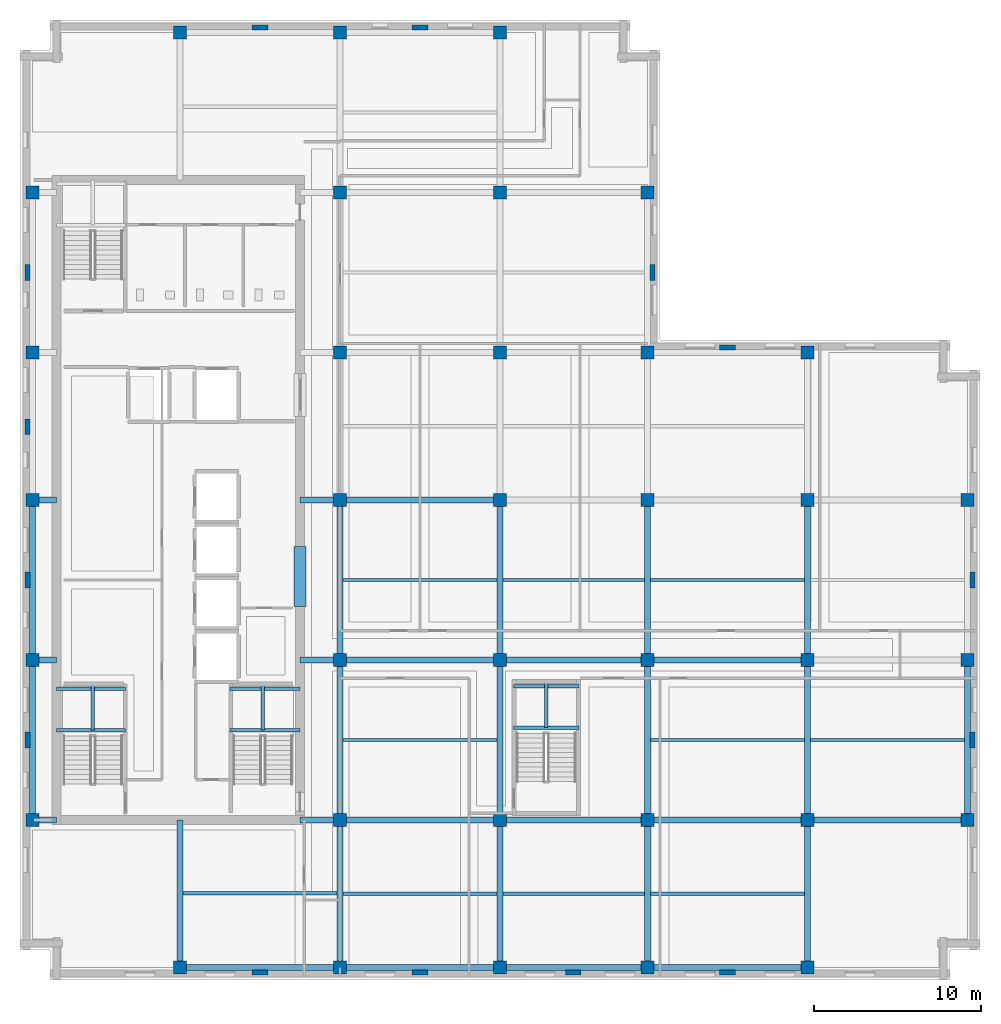
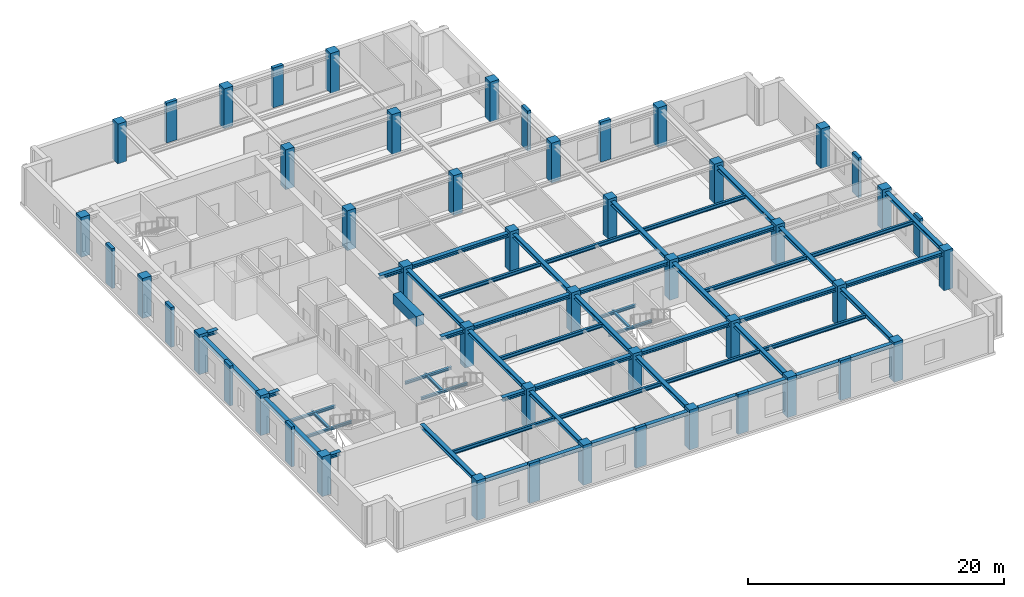
# One storey, part 1 of 10: 54 beams, 49 columns.
"""IFC4 building model written with IfcOpenShell, lengths in metres."""

import ifcopenshell
import ifcopenshell.guid

model = None  # the IFC model being written
_history = None  # IfcOwnerHistory: only IFC2X3 demands one
_inside = {}  # id of a spatial element -> (the spatial element, [elements in it])
_under = {}  # id of a project, library or spatial element -> (it, [spatial elements below it])
_declared = {}  # id of a project -> (the project, [libraries it declares])
_typed = {}  # id of a type object -> (the type object, [elements of that type])
_made_of = {}  # id of a material, layer set ... -> (it, [elements and type objects made of it])


def new_model(schema):
    """Start an empty IFC model of exactly this schema.

    Asked for "IFC4X3", IfcOpenShell would pick the latest addendum, in which some entities
    have other attributes; the version numbers below select the first issue.
    IFC2X3 requires an IfcOwnerHistory on every rooted entity: one is made here for all.
    """
    global model, _history
    if schema == "IFC4X3":
        model = ifcopenshell.file(schema_version=(4, 3, 0, 0))
    else:
        model = ifcopenshell.file(schema=schema)
    _inside.clear()
    _under.clear()
    _declared.clear()
    _typed.clear()
    _made_of.clear()
    _history = None
    if model.schema == "IFC2X3":
        org = make("IfcOrganization", Name="unknown")
        user = make(
            "IfcPersonAndOrganization",
            ThePerson=make("IfcPerson", FamilyName="unknown"),
            TheOrganization=org,
        )
        app = make(
            "IfcApplication",
            ApplicationDeveloper=org,
            Version="unknown",
            ApplicationFullName="unknown",
            ApplicationIdentifier="unknown",
        )
        _history = make(
            "IfcOwnerHistory",
            OwningUser=user,
            OwningApplication=app,
            ChangeAction="ADDED",
            CreationDate=0,
        )
    return model


def make(cls, **values):
    """One entity of the class cls with the attributes given. An attribute that is None is left unset."""
    return model.create_entity(
        cls, **{name: value for name, value in values.items() if value is not None}
    )


def rooted(cls, **values):
    """An entity with a GlobalId (a new one), such as an element, a storey or a relation."""
    return make(cls, GlobalId=ifcopenshell.guid.new(), OwnerHistory=_history, **values)


def si_unit(unit_type, name, prefix=None):
    """IfcSIUnit, for example si_unit("LENGTHUNIT", "METRE", prefix="MILLI")."""
    return make("IfcSIUnit", UnitType=unit_type, Prefix=prefix, Name=name)


def assignment(units):
    """IfcUnitAssignment: the units of a project."""
    return None if units is None else make("IfcUnitAssignment", Units=units)


def point(xyz):
    """IfcCartesianPoint."""
    return None if xyz is None else make("IfcCartesianPoint", Coordinates=xyz)


def direction(xyz):
    """IfcDirection."""
    return None if xyz is None else make("IfcDirection", DirectionRatios=xyz)


def frame(location, z_axis=None, x_axis=None):
    """IfcAxis2Placement3D, a coordinate frame: its origin and axes. An axis left out is left unset."""
    return make(
        "IfcAxis2Placement3D",
        Location=point(location),
        Axis=direction(z_axis),
        RefDirection=direction(x_axis),
    )


def frame_2d(location, x_axis=None):
    """IfcAxis2Placement2D, a coordinate frame in the plane: its origin and x axis."""
    return make(
        "IfcAxis2Placement2D", Location=point(location), RefDirection=direction(x_axis)
    )


def origin():
    """The frame at (0, 0, 0) with its axes left unset."""
    return frame((0.0, 0.0, 0.0))


def origin_2d():
    """The frame at (0, 0) in the plane with its x axis left unset."""
    return frame_2d((0.0, 0.0))


def place(relative_to, where):
    """IfcLocalPlacement: puts the frame where relative to a parent placement (None: the world)."""
    return make(
        "IfcLocalPlacement", PlacementRelTo=relative_to, RelativePlacement=where
    )


def context(
    kind, dimensions, precision=None, world=None, true_north=None, identifier=None
):
    """IfcGeometricRepresentationContext, for example the 3D "Model" context."""
    return make(
        "IfcGeometricRepresentationContext",
        ContextIdentifier=identifier,
        ContextType=kind,
        CoordinateSpaceDimension=dimensions,
        Precision=precision,
        WorldCoordinateSystem=world,
        TrueNorth=true_north,
    )


def subcontext(parent, identifier, kind, view, scale=None):
    """IfcGeometricRepresentationSubContext, for example "Body" below "Model"."""
    return make(
        "IfcGeometricRepresentationSubContext",
        ContextIdentifier=identifier,
        ContextType=kind,
        ParentContext=parent,
        TargetScale=scale,
        TargetView=view,
    )


def project(units=None, contexts=None):
    """IfcProject with its units and contexts."""
    return rooted(
        "IfcProject",
        Name="project",
        RepresentationContexts=contexts,
        UnitsInContext=assignment(units),
    )


def spatial(cls, under=None, at=None, **own):
    """A site, building, storey or space (cls), placed at a placement, below another one or the project."""
    s = rooted(cls, ObjectPlacement=at, **own)
    if under is not None:
        _under.setdefault(under.id(), (under, []))[1].append(s)
    return s


def profile(cls, at=None, kind="AREA", **sizes):
    """A parametric profile (cls). Its sizes go by their IFC names, for example OverallWidth=200.0."""
    return make(cls, ProfileType=kind, Position=at, **sizes)


def rectangle(**sizes):
    """IfcRectangleProfileDef."""
    return profile("IfcRectangleProfileDef", **sizes)


def i_section(**sizes):
    """IfcIShapeProfileDef."""
    return profile("IfcIShapeProfileDef", **sizes)


def extrude(swept, where, along, depth):
    """IfcExtrudedAreaSolid: the profile swept, set in the frame where, extruded along a direction by depth."""
    return make(
        "IfcExtrudedAreaSolid",
        SweptArea=swept,
        Position=where,
        ExtrudedDirection=direction(along),
        Depth=depth,
    )


def shape(context_of_items, identifier, shape_type, items):
    """IfcShapeRepresentation: the items that make up one representation, for example the "Body"."""
    return make(
        "IfcShapeRepresentation",
        ContextOfItems=context_of_items,
        RepresentationIdentifier=identifier,
        RepresentationType=shape_type,
        Items=items,
    )


def material(Name=None, Category=None):
    """IfcMaterial."""
    return make("IfcMaterial", Name=Name, Category=Category)


def material_profile(
    of_material, cross_section, Name=None, Category=None, Priority=None
):
    """IfcMaterialProfile: a cross section and its material."""
    return make(
        "IfcMaterialProfile",
        Name=Name,
        Material=of_material,
        Profile=cross_section,
        Priority=Priority,
        Category=Category,
    )


def profile_set(profiles, Name=None, composite=None):
    """IfcMaterialProfileSet."""
    return make(
        "IfcMaterialProfileSet",
        Name=Name,
        MaterialProfiles=profiles,
        CompositeProfile=composite,
    )


def made_of(thing, what):
    """Note that an element or type object is made of a material, layer set ...; save() writes the relation."""
    if what is not None:
        _made_of.setdefault(what.id(), (what, []))[1].append(thing)
    return thing


def type_object(cls, material=None, **own):
    """A type object (cls), such as IfcWallType, which elements share."""
    return made_of(rooted(cls, **own), material)


def element(
    cls,
    number,
    at=None,
    inside=None,
    cuts=None,
    type_object=None,
    material=None,
    context=None,
    identifier="Body",
    shape_type=None,
    held_by="IfcProductDefinitionShape",
    body=None,
    shapes=None,
    **own,
):
    """One element of the class cls, such as IfcWall. Its Tag is "e" and its number.

    at: its placement. inside: the storey or other place that contains it. cuts: it is an
    opening in that element (IfcRelVoidsElement). A single representation is given by context,
    identifier, shape_type and body (its items); several are given by shapes. held_by: the class
    of the entity that holds the representations. save() writes the other relations.
    """
    e = rooted(cls, Tag="e%d" % number, ObjectPlacement=at, **own)
    if body is not None:
        shapes = [shape(context, identifier, shape_type, body)]
    if shapes is not None:
        e.Representation = make(held_by, Representations=shapes)
    if inside is not None:
        _inside.setdefault(inside.id(), (inside, []))[1].append(e)
    if cuts is not None:
        rooted(
            "IfcRelVoidsElement", RelatingBuildingElement=cuts, RelatedOpeningElement=e
        )
    if type_object is not None:
        _typed.setdefault(type_object.id(), (type_object, []))[1].append(e)
    return made_of(e, material)


def aggregate(whole, parts):
    """IfcRelAggregates: a whole, such as a stair, and the parts it consists of."""
    return rooted("IfcRelAggregates", RelatingObject=whole, RelatedObjects=parts)


def save(model, path):
    """Write the relations noted so far, then the file.

    IfcRelAggregates (storeys below a building ...), IfcRelContainedInSpatialStructure (elements
    in a storey), IfcRelDefinesByType, IfcRelAssociatesMaterial and IfcRelDeclares: one each for
    every whole, place, type object, material and project.
    """
    for whole, parts in _under.values():
        aggregate(whole, parts)
    for where, things in _inside.values():
        rooted(
            "IfcRelContainedInSpatialStructure",
            RelatedElements=things,
            RelatingStructure=where,
        )
    for kind, things in _typed.values():
        rooted("IfcRelDefinesByType", RelatedObjects=things, RelatingType=kind)
    for what, things in _made_of.values():
        rooted("IfcRelAssociatesMaterial", RelatedObjects=things, RelatingMaterial=what)
    for by, libraries in _declared.values():
        rooted("IfcRelDeclares", RelatingContext=by, RelatedDefinitions=libraries)
    model.write(path)


model = new_model("IFC4")

# Units and contexts
model_context = context("Model", 3, precision=1e-05, world=origin(), true_north=direction((0.0, 1.0)))
body_context = subcontext(model_context, "Body", "Model", "MODEL_VIEW")
ifc_project = project(units=[si_unit("LENGTHUNIT", "METRE"), si_unit("AREAUNIT", "SQUARE_METRE"), si_unit("VOLUMEUNIT", "CUBIC_METRE"), si_unit("PLANEANGLEUNIT", "RADIAN"), si_unit("MASSUNIT", "GRAM", prefix="KILO")], contexts=[model_context])

# Site, building, storey
site_placement = place(None, origin())
site = spatial("IfcSite", under=ifc_project, at=site_placement, CompositionType="ELEMENT")
building_placement = place(site_placement, origin())
building = spatial("IfcBuilding", under=site, at=building_placement, Name="Norrvale University Quadrangle", CompositionType="ELEMENT")
storey_placement = place(building_placement, frame((0.0, 0.0, 229.39990234375)))
storey = spatial("IfcBuildingStorey", under=building, at=storey_placement, Name="L58", CompositionType="ELEMENT", Elevation=229.39990234375)

# Columns
ifc_material_1 = material(Name="Red Manganese Brick Concrete C60/75", Category="concrete")
ifc_material_profile_1 = material_profile(ifc_material_1, rectangle(XDim=0.949951171875, YDim=0.300048828125, at=origin_2d()), Name="Red Manganese Brick Concrete C60/75")
ifc_profile_set_1 = profile_set([ifc_material_profile_1], Name="Red Manganese Brick Concrete C60/75")
column_type_1 = type_object("IfcColumnType", Name="Column Brick Pier 950x300", PredefinedType="PILASTER", material=ifc_profile_set_1)
for number, where, z_axis, x_axis, name in (
    (1, (0.449951171875, 14.39990234375, 0.0), (0.0, 0.0, 1.0), (0.0, 1.0, 0.0), "Exterior Brick Facade Pilaster L58-01"),
    (2, (0.449951171875, 24.0, 0.0), (0.0, 0.0, 1.0), (0.0, 1.0, 0.0), "Exterior Brick Facade Pilaster L58-02"),
    (3, (0.449951171875, 33.199951171875, 0.0), (0.0, 0.0, 1.0), (0.0, 1.0, 0.0), "Exterior Brick Facade Pilaster L58-03"),
    (4, (0.449951171875, 42.449951171875, 0.0), (0.0, 0.0, 1.0), (0.0, 1.0, 0.0), "Exterior Brick Facade Pilaster L58-04"),
    (5, (14.39990234375, 0.449951171875, 0.0), (0.0, 0.0, 1.0), (1.0, 0.0, 0.0), "Exterior Brick Facade Pilaster L58-05"),
    (6, (24.0, 0.449951171875, 0.0), (0.0, 0.0, 1.0), (1.0, 0.0, 0.0), "Exterior Brick Facade Pilaster L58-06"),
    (7, (33.199951171875, 0.449951171875, 0.0), (0.0, 0.0, 1.0), (1.0, 0.0, 0.0), "Exterior Brick Facade Pilaster L58-07"),
    (8, (42.449951171875, 0.449951171875, 0.0), (0.0, 0.0, 1.0), (1.0, 0.0, 0.0), "Exterior Brick Facade Pilaster L58-08"),
    (9, (57.14990234375, 14.39990234375, 0.0), (0.0, 0.0, 1.0), (0.0, 1.0, 0.0), "Exterior Brick Facade Pilaster L58-09"),
    (10, (57.14990234375, 24.0, 0.0), (0.0, 0.0, 1.0), (0.0, 1.0, 0.0), "Exterior Brick Facade Pilaster L58-10"),
    (11, (14.39990234375, 57.14990234375, 0.0), (0.0, 0.0, 1.0), (1.0, 0.0, 0.0), "Exterior Brick Facade Pilaster L58-11"),
    (12, (24.0, 57.14990234375, 0.0), (0.0, 0.0, 1.0), (1.0, 0.0, 0.0), "Exterior Brick Facade Pilaster L58-12"),
    (13, (37.949951171875, 42.449951171875, 0.0), (0.0, 0.0, 1.0), (0.0, 1.0, 0.0), "Exterior Brick Facade Pilaster L58-13"),
    (14, (42.449951171875, 37.949951171875, 0.0), (0.0, 0.0, 1.0), (1.0, 0.0, 0.0), "Exterior Brick Facade Pilaster L58-14"),
):
    element("IfcColumn", number, at=place(storey_placement, frame(where, z_axis=z_axis, x_axis=x_axis)), inside=storey, type_object=column_type_1, Name=name, PredefinedType="PILASTER", context=body_context, shape_type="SweptSolid", body=[
        extrude(rectangle(XDim=0.949951171875, YDim=0.300048828125, at=origin_2d()), origin(), (0.0, 0.0, 1.0), 3.800048828125),
    ])
ifc_material_2 = material(Name="Concrete C60/75", Category="concrete")
ifc_material_profile_2 = material_profile(ifc_material_2, rectangle(XDim=0.800048828125, YDim=0.800048828125, at=origin_2d()), Name="Concrete C60/75")
ifc_profile_set_2 = profile_set([ifc_material_profile_2], Name="Concrete C60/75")
column_type_2 = type_object("IfcColumnType", Name="Column Tower Z3 800x800", PredefinedType="COLUMN", material=ifc_profile_set_2)
for number, where, z_axis, x_axis, name in (
    (15, (0.75, 9.60009765625, 0.0), (0.0, 0.0, 1.0), (1.0, 0.0, 0.0), "Tower Column L58-T01"),
    (16, (0.75, 19.199951171875, 0.0), (0.0, 0.0, 1.0), (1.0, 0.0, 0.0), "Tower Column L58-T02"),
    (17, (0.75, 28.800048828125, 0.0), (0.0, 0.0, 1.0), (1.0, 0.0, 0.0), "Tower Column L58-T03"),
    (18, (0.75, 37.64990234375, 0.0), (0.0, 0.0, 1.0), (1.0, 0.0, 0.0), "Tower Column L58-T04"),
    (19, (0.75, 47.25, 0.0), (0.0, 0.0, 1.0), (1.0, 0.0, 0.0), "Tower Column L58-T05"),
    (20, (9.60009765625, 0.75, 0.0), (0.0, 0.0, 1.0), (1.0, 0.0, 0.0), "Tower Column L58-T06"),
    (21, (9.60009765625, 56.85009765625, 0.0), (0.0, 0.0, 1.0), (1.0, 0.0, 0.0), "Tower Column L58-T07"),
    (22, (19.199951171875, 0.75, 0.0), (0.0, 0.0, 1.0), (1.0, 0.0, 0.0), "Tower Column L58-T08"),
    (23, (19.199951171875, 9.60009765625, 0.0), (0.0, 0.0, 1.0), (1.0, 0.0, 0.0), "Tower Column L58-T09"),
    (24, (19.199951171875, 19.199951171875, 0.0), (0.0, 0.0, 1.0), (1.0, 0.0, 0.0), "Tower Column L58-T10"),
    (25, (19.199951171875, 28.800048828125, 0.0), (0.0, 0.0, 1.0), (1.0, 0.0, 0.0), "Tower Column L58-T11"),
    (26, (19.199951171875, 37.64990234375, 0.0), (0.0, 0.0, 1.0), (1.0, 0.0, 0.0), "Tower Column L58-T12"),
    (27, (19.199951171875, 47.25, 0.0), (0.0, 0.0, 1.0), (1.0, 0.0, 0.0), "Tower Column L58-T13"),
    (28, (19.199951171875, 56.85009765625, 0.0), (0.0, 0.0, 1.0), (1.0, 0.0, 0.0), "Tower Column L58-T14"),
    (29, (28.800048828125, 0.75, 0.0), (0.0, 0.0, 1.0), (1.0, 0.0, 0.0), "Tower Column L58-T15"),
    (30, (28.800048828125, 9.60009765625, 0.0), (0.0, 0.0, 1.0), (1.0, 0.0, 0.0), "Tower Column L58-T16"),
    (31, (28.800048828125, 19.199951171875, 0.0), (0.0, 0.0, 1.0), (1.0, 0.0, 0.0), "Tower Column L58-T17"),
    (32, (28.800048828125, 28.800048828125, 0.0), (0.0, 0.0, 1.0), (1.0, 0.0, 0.0), "Tower Column L58-T18"),
    (33, (28.800048828125, 37.64990234375, 0.0), (0.0, 0.0, 1.0), (1.0, 0.0, 0.0), "Tower Column L58-T19"),
    (34, (28.800048828125, 47.25, 0.0), (0.0, 0.0, 1.0), (1.0, 0.0, 0.0), "Tower Column L58-T20"),
    (35, (28.800048828125, 56.85009765625, 0.0), (0.0, 0.0, 1.0), (1.0, 0.0, 0.0), "Tower Column L58-T21"),
    (36, (37.64990234375, 0.75, 0.0), (0.0, 0.0, 1.0), (1.0, 0.0, 0.0), "Tower Column L58-T22"),
    (37, (37.64990234375, 9.60009765625, 0.0), (0.0, 0.0, 1.0), (1.0, 0.0, 0.0), "Tower Column L58-T23"),
    (38, (37.64990234375, 19.199951171875, 0.0), (0.0, 0.0, 1.0), (1.0, 0.0, 0.0), "Tower Column L58-T24"),
    (39, (37.64990234375, 28.800048828125, 0.0), (0.0, 0.0, 1.0), (1.0, 0.0, 0.0), "Tower Column L58-T25"),
    (40, (37.64990234375, 37.64990234375, 0.0), (0.0, 0.0, 1.0), (1.0, 0.0, 0.0), "Tower Column L58-T26"),
    (41, (37.64990234375, 47.25, 0.0), (0.0, 0.0, 1.0), (1.0, 0.0, 0.0), "Tower Column L58-T27"),
    (42, (47.25, 0.75, 0.0), (0.0, 0.0, 1.0), (1.0, 0.0, 0.0), "Tower Column L58-T28"),
    (43, (47.25, 9.60009765625, 0.0), (0.0, 0.0, 1.0), (1.0, 0.0, 0.0), "Tower Column L58-T29"),
    (44, (47.25, 19.199951171875, 0.0), (0.0, 0.0, 1.0), (1.0, 0.0, 0.0), "Tower Column L58-T30"),
    (45, (47.25, 28.800048828125, 0.0), (0.0, 0.0, 1.0), (1.0, 0.0, 0.0), "Tower Column L58-T31"),
    (46, (47.25, 37.64990234375, 0.0), (0.0, 0.0, 1.0), (1.0, 0.0, 0.0), "Tower Column L58-T32"),
    (47, (56.85009765625, 9.60009765625, 0.0), (0.0, 0.0, 1.0), (1.0, 0.0, 0.0), "Tower Column L58-T33"),
    (48, (56.85009765625, 19.199951171875, 0.0), (0.0, 0.0, 1.0), (1.0, 0.0, 0.0), "Tower Column L58-T34"),
    (49, (56.85009765625, 28.800048828125, 0.0), (0.0, 0.0, 1.0), (1.0, 0.0, 0.0), "Tower Column L58-T35"),
):
    element("IfcColumn", number, at=place(storey_placement, frame(where, z_axis=z_axis, x_axis=x_axis)), inside=storey, type_object=column_type_2, Name=name, PredefinedType="COLUMN", context=body_context, shape_type="SweptSolid", body=[
        extrude(rectangle(XDim=0.800048828125, YDim=0.800048828125, at=origin_2d()), origin(), (0.0, 0.0, 1.0), 3.800048828125),
    ])

# Beams
ifc_material_3 = material(Name="Concrete C80/95", Category="concrete")
ifc_material_profile_3 = material_profile(ifc_material_3, rectangle(XDim=0.699951171875, YDim=0.949951171875, at=origin_2d()), Name="Concrete C80/95")
ifc_profile_set_3 = profile_set([ifc_material_profile_3], Name="Concrete C80/95")
beam_type_1 = type_object("IfcBeamType", Name="Beam Core Link 700x950", PredefinedType="LINTEL", material=ifc_profile_set_3)
beam_1_placement = place(storey_placement, frame((16.800048828125, 22.39990234375, 3.065185546875), z_axis=(0.0, 1.0, 0.0), x_axis=(-1.0, 0.0, 0.0)))
element("IfcBeam", 50, at=beam_1_placement, inside=storey, type_object=beam_type_1, Name="Core Coupling Lintel Beam L58-1", PredefinedType="LINTEL", context=body_context, shape_type="SweptSolid", body=[
    extrude(rectangle(XDim=0.699951171875, YDim=0.949951171875, at=origin_2d()), origin(), (0.0, 0.0, 1.0), 3.60009765625),
])
ifc_material_4 = material(Name="Steel 350W", Category="steel")
ifc_material_profile_4 = material_profile(ifc_material_4, i_section(OverallWidth=0.368896484375, OverallDepth=0.35595703125, WebThickness=0.01123046875, FlangeThickness=0.01806640625, FilletRadius=0.014892578125, at=origin_2d()), Name="Steel 350W")
ifc_profile_set_4 = profile_set([ifc_material_profile_4], Name="Steel 350W")
beam_type_2 = type_object("IfcBeamType", Name="Beam Crown W360x134", PredefinedType="BEAM", material=ifc_profile_set_4)
beam_2_placement = place(storey_placement, frame((9.60009765625, 0.75, 3.362060546875), z_axis=(1.0, 0.0, 0.0), x_axis=(0.0, 1.0, 0.0)))
element("IfcBeam", 51, at=beam_2_placement, inside=storey, type_object=beam_type_2, Name="Beam Crown W360x134 BM-L58-GX001", PredefinedType="BEAM", context=body_context, shape_type="SweptSolid", body=[
    extrude(i_section(OverallWidth=0.368896484375, OverallDepth=0.35595703125, WebThickness=0.01123046875, FlangeThickness=0.01806640625, FilletRadius=0.014892578125, at=origin_2d()), origin(), (0.0, 0.0, 1.0), 9.599853515625),
])
beam_3_placement = place(storey_placement, frame((19.199951171875, 0.75, 3.362060546875), z_axis=(1.0, 0.0, 0.0), x_axis=(0.0, 1.0, 0.0)))
element("IfcBeam", 52, at=beam_3_placement, inside=storey, type_object=beam_type_2, Name="Beam Crown W360x134 BM-L58-GX002", PredefinedType="BEAM", context=body_context, shape_type="SweptSolid", body=[
    extrude(i_section(OverallWidth=0.368896484375, OverallDepth=0.35595703125, WebThickness=0.01123046875, FlangeThickness=0.01806640625, FilletRadius=0.014892578125, at=origin_2d()), origin(), (0.0, 0.0, 1.0), 9.60009765625),
])
beam_4_placement = place(storey_placement, frame((28.800048828125, 0.75, 3.362060546875), z_axis=(1.0, 0.0, 0.0), x_axis=(0.0, 1.0, 0.0)))
element("IfcBeam", 53, at=beam_4_placement, inside=storey, type_object=beam_type_2, Name="Beam Crown W360x134 BM-L58-GX003", PredefinedType="BEAM", context=body_context, shape_type="SweptSolid", body=[
    extrude(i_section(OverallWidth=0.368896484375, OverallDepth=0.35595703125, WebThickness=0.01123046875, FlangeThickness=0.01806640625, FilletRadius=0.014892578125, at=origin_2d()), origin(), (0.0, 0.0, 1.0), 8.849853515625),
])
for number, where, z_axis, x_axis, name in (
    (54, (37.64990234375, 0.75, 3.362060546875), (1.0, 0.0, 0.0), (0.0, 1.0, 0.0), "Beam Crown W360x134 BM-L58-GX004"),
    (55, (19.199951171875, 9.60009765625, 3.362060546875), (1.0, 0.0, 0.0), (0.0, 1.0, 0.0), "Beam Crown W360x134 BM-L58-GX005"),
):
    element("IfcBeam", number, at=place(storey_placement, frame(where, z_axis=z_axis, x_axis=x_axis)), inside=storey, type_object=beam_type_2, Name=name, PredefinedType="BEAM", context=body_context, shape_type="SweptSolid", body=[
        extrude(i_section(OverallWidth=0.368896484375, OverallDepth=0.35595703125, WebThickness=0.01123046875, FlangeThickness=0.01806640625, FilletRadius=0.014892578125, at=origin_2d()), origin(), (0.0, 0.0, 1.0), 9.60009765625),
    ])
beam_5_placement = place(storey_placement, frame((28.800048828125, 9.60009765625, 3.362060546875), z_axis=(1.0, 0.0, 0.0), x_axis=(0.0, 1.0, 0.0)))
element("IfcBeam", 56, at=beam_5_placement, inside=storey, type_object=beam_type_2, Name="Beam Crown W360x134 BM-L58-GX006", PredefinedType="BEAM", context=body_context, shape_type="SweptSolid", body=[
    extrude(i_section(OverallWidth=0.368896484375, OverallDepth=0.35595703125, WebThickness=0.01123046875, FlangeThickness=0.01806640625, FilletRadius=0.014892578125, at=origin_2d()), origin(), (0.0, 0.0, 1.0), 8.849853515625),
])
for number, where, z_axis, x_axis, name in (
    (57, (37.64990234375, 9.60009765625, 3.362060546875), (1.0, 0.0, 0.0), (0.0, 1.0, 0.0), "Beam Crown W360x134 BM-L58-GX007"),
    (58, (47.25, 9.60009765625, 3.362060546875), (1.0, 0.0, 0.0), (0.0, 1.0, 0.0), "Beam Crown W360x134 BM-L58-GX008"),
    (59, (19.199951171875, 19.199951171875, 3.362060546875), (1.0, 0.0, 0.0), (0.0, 1.0, 0.0), "Beam Crown W360x134 BM-L58-GX009"),
):
    element("IfcBeam", number, at=place(storey_placement, frame(where, z_axis=z_axis, x_axis=x_axis)), inside=storey, type_object=beam_type_2, Name=name, PredefinedType="BEAM", context=body_context, shape_type="SweptSolid", body=[
        extrude(i_section(OverallWidth=0.368896484375, OverallDepth=0.35595703125, WebThickness=0.01123046875, FlangeThickness=0.01806640625, FilletRadius=0.014892578125, at=origin_2d()), origin(), (0.0, 0.0, 1.0), 9.60009765625),
    ])
beam_6_placement = place(storey_placement, frame((28.800048828125, 19.199951171875, 3.362060546875), z_axis=(1.0, 0.0, 0.0), x_axis=(0.0, 1.0, 0.0)))
element("IfcBeam", 60, at=beam_6_placement, inside=storey, type_object=beam_type_2, Name="Beam Crown W360x134 BM-L58-GX010", PredefinedType="BEAM", context=body_context, shape_type="SweptSolid", body=[
    extrude(i_section(OverallWidth=0.368896484375, OverallDepth=0.35595703125, WebThickness=0.01123046875, FlangeThickness=0.01806640625, FilletRadius=0.014892578125, at=origin_2d()), origin(), (0.0, 0.0, 1.0), 8.849853515625),
])
for number, where, z_axis, x_axis, name in (
    (61, (37.64990234375, 19.199951171875, 3.362060546875), (1.0, 0.0, 0.0), (0.0, 1.0, 0.0), "Beam Crown W360x134 BM-L58-GX011"),
    (62, (19.199951171875, 28.800048828125, 3.362060546875), (1.0, 0.0, 0.0), (0.0, 1.0, 0.0), "Beam Crown W360x134 BM-L58-GX013"),
):
    element("IfcBeam", number, at=place(storey_placement, frame(where, z_axis=z_axis, x_axis=x_axis)), inside=storey, type_object=beam_type_2, Name=name, PredefinedType="BEAM", context=body_context, shape_type="SweptSolid", body=[
        extrude(i_section(OverallWidth=0.368896484375, OverallDepth=0.35595703125, WebThickness=0.01123046875, FlangeThickness=0.01806640625, FilletRadius=0.014892578125, at=origin_2d()), origin(), (0.0, 0.0, 1.0), 9.60009765625),
    ])
beam_7_placement = place(storey_placement, frame((0.75, 9.60009765625, 3.362060546875), z_axis=(0.0, 1.0, 0.0), x_axis=(-1.0, 0.0, 0.0)))
element("IfcBeam", 63, at=beam_7_placement, inside=storey, type_object=beam_type_2, Name="Beam Crown W360x134 BM-L58-GY024", PredefinedType="BEAM", context=body_context, shape_type="SweptSolid", body=[
    extrude(i_section(OverallWidth=0.368896484375, OverallDepth=0.35595703125, WebThickness=0.01123046875, FlangeThickness=0.01806640625, FilletRadius=0.014892578125, at=origin_2d()), origin(), (0.0, 0.0, 1.0), 9.599853515625),
])
beam_8_placement = place(storey_placement, frame((0.75, 19.199951171875, 3.362060546875), z_axis=(0.0, 1.0, 0.0), x_axis=(-1.0, 0.0, 0.0)))
element("IfcBeam", 64, at=beam_8_placement, inside=storey, type_object=beam_type_2, Name="Beam Crown W360x134 BM-L58-GY025", PredefinedType="BEAM", context=body_context, shape_type="SweptSolid", body=[
    extrude(i_section(OverallWidth=0.368896484375, OverallDepth=0.35595703125, WebThickness=0.01123046875, FlangeThickness=0.01806640625, FilletRadius=0.014892578125, at=origin_2d()), origin(), (0.0, 0.0, 1.0), 9.60009765625),
])
beam_9_placement = place(storey_placement, frame((19.199951171875, 0.75, 3.362060546875), z_axis=(0.0, 1.0, 0.0), x_axis=(-1.0, 0.0, 0.0)))
element("IfcBeam", 65, at=beam_9_placement, inside=storey, type_object=beam_type_2, Name="Beam Crown W360x134 BM-L58-GY028", PredefinedType="BEAM", context=body_context, shape_type="SweptSolid", body=[
    extrude(i_section(OverallWidth=0.368896484375, OverallDepth=0.35595703125, WebThickness=0.01123046875, FlangeThickness=0.01806640625, FilletRadius=0.014892578125, at=origin_2d()), origin(), (0.0, 0.0, 1.0), 8.85009765625),
])
beam_10_placement = place(storey_placement, frame((19.199951171875, 9.60009765625, 3.362060546875), z_axis=(0.0, 1.0, 0.0), x_axis=(-1.0, 0.0, 0.0)))
element("IfcBeam", 66, at=beam_10_placement, inside=storey, type_object=beam_type_2, Name="Beam Crown W360x134 BM-L58-GY029", PredefinedType="BEAM", context=body_context, shape_type="SweptSolid", body=[
    extrude(i_section(OverallWidth=0.368896484375, OverallDepth=0.35595703125, WebThickness=0.01123046875, FlangeThickness=0.01806640625, FilletRadius=0.014892578125, at=origin_2d()), origin(), (0.0, 0.0, 1.0), 9.599853515625),
])
beam_11_placement = place(storey_placement, frame((19.199951171875, 19.199951171875, 3.362060546875), z_axis=(0.0, 1.0, 0.0), x_axis=(-1.0, 0.0, 0.0)))
element("IfcBeam", 67, at=beam_11_placement, inside=storey, type_object=beam_type_2, Name="Beam Crown W360x134 BM-L58-GY030", PredefinedType="BEAM", context=body_context, shape_type="SweptSolid", body=[
    extrude(i_section(OverallWidth=0.368896484375, OverallDepth=0.35595703125, WebThickness=0.01123046875, FlangeThickness=0.01806640625, FilletRadius=0.014892578125, at=origin_2d()), origin(), (0.0, 0.0, 1.0), 9.60009765625),
])
beam_12_placement = place(storey_placement, frame((28.800048828125, 0.75, 3.362060546875), z_axis=(0.0, 1.0, 0.0), x_axis=(-1.0, 0.0, 0.0)))
element("IfcBeam", 68, at=beam_12_placement, inside=storey, type_object=beam_type_2, Name="Beam Crown W360x134 BM-L58-GY034", PredefinedType="BEAM", context=body_context, shape_type="SweptSolid", body=[
    extrude(i_section(OverallWidth=0.368896484375, OverallDepth=0.35595703125, WebThickness=0.01123046875, FlangeThickness=0.01806640625, FilletRadius=0.014892578125, at=origin_2d()), origin(), (0.0, 0.0, 1.0), 8.85009765625),
])
beam_13_placement = place(storey_placement, frame((28.800048828125, 9.60009765625, 3.362060546875), z_axis=(0.0, 1.0, 0.0), x_axis=(-1.0, 0.0, 0.0)))
element("IfcBeam", 69, at=beam_13_placement, inside=storey, type_object=beam_type_2, Name="Beam Crown W360x134 BM-L58-GY035", PredefinedType="BEAM", context=body_context, shape_type="SweptSolid", body=[
    extrude(i_section(OverallWidth=0.368896484375, OverallDepth=0.35595703125, WebThickness=0.01123046875, FlangeThickness=0.01806640625, FilletRadius=0.014892578125, at=origin_2d()), origin(), (0.0, 0.0, 1.0), 9.599853515625),
])
beam_14_placement = place(storey_placement, frame((28.800048828125, 19.199951171875, 3.362060546875), z_axis=(0.0, 1.0, 0.0), x_axis=(-1.0, 0.0, 0.0)))
element("IfcBeam", 70, at=beam_14_placement, inside=storey, type_object=beam_type_2, Name="Beam Crown W360x134 BM-L58-GY036", PredefinedType="BEAM", context=body_context, shape_type="SweptSolid", body=[
    extrude(i_section(OverallWidth=0.368896484375, OverallDepth=0.35595703125, WebThickness=0.01123046875, FlangeThickness=0.01806640625, FilletRadius=0.014892578125, at=origin_2d()), origin(), (0.0, 0.0, 1.0), 9.60009765625),
])
beam_15_placement = place(storey_placement, frame((37.64990234375, 0.75, 3.362060546875), z_axis=(0.0, 1.0, 0.0), x_axis=(-1.0, 0.0, 0.0)))
element("IfcBeam", 71, at=beam_15_placement, inside=storey, type_object=beam_type_2, Name="Beam Crown W360x134 BM-L58-GY040", PredefinedType="BEAM", context=body_context, shape_type="SweptSolid", body=[
    extrude(i_section(OverallWidth=0.368896484375, OverallDepth=0.35595703125, WebThickness=0.01123046875, FlangeThickness=0.01806640625, FilletRadius=0.014892578125, at=origin_2d()), origin(), (0.0, 0.0, 1.0), 8.85009765625),
])
beam_16_placement = place(storey_placement, frame((37.64990234375, 9.60009765625, 3.362060546875), z_axis=(0.0, 1.0, 0.0), x_axis=(-1.0, 0.0, 0.0)))
element("IfcBeam", 72, at=beam_16_placement, inside=storey, type_object=beam_type_2, Name="Beam Crown W360x134 BM-L58-GY041", PredefinedType="BEAM", context=body_context, shape_type="SweptSolid", body=[
    extrude(i_section(OverallWidth=0.368896484375, OverallDepth=0.35595703125, WebThickness=0.01123046875, FlangeThickness=0.01806640625, FilletRadius=0.014892578125, at=origin_2d()), origin(), (0.0, 0.0, 1.0), 9.599853515625),
])
beam_17_placement = place(storey_placement, frame((37.64990234375, 19.199951171875, 3.362060546875), z_axis=(0.0, 1.0, 0.0), x_axis=(-1.0, 0.0, 0.0)))
element("IfcBeam", 73, at=beam_17_placement, inside=storey, type_object=beam_type_2, Name="Beam Crown W360x134 BM-L58-GY042", PredefinedType="BEAM", context=body_context, shape_type="SweptSolid", body=[
    extrude(i_section(OverallWidth=0.368896484375, OverallDepth=0.35595703125, WebThickness=0.01123046875, FlangeThickness=0.01806640625, FilletRadius=0.014892578125, at=origin_2d()), origin(), (0.0, 0.0, 1.0), 9.60009765625),
])
beam_18_placement = place(storey_placement, frame((47.25, 0.75, 3.362060546875), z_axis=(0.0, 1.0, 0.0), x_axis=(-1.0, 0.0, 0.0)))
element("IfcBeam", 74, at=beam_18_placement, inside=storey, type_object=beam_type_2, Name="Beam Crown W360x134 BM-L58-GY045", PredefinedType="BEAM", context=body_context, shape_type="SweptSolid", body=[
    extrude(i_section(OverallWidth=0.368896484375, OverallDepth=0.35595703125, WebThickness=0.01123046875, FlangeThickness=0.01806640625, FilletRadius=0.014892578125, at=origin_2d()), origin(), (0.0, 0.0, 1.0), 8.85009765625),
])
beam_19_placement = place(storey_placement, frame((47.25, 9.60009765625, 3.362060546875), z_axis=(0.0, 1.0, 0.0), x_axis=(-1.0, 0.0, 0.0)))
element("IfcBeam", 75, at=beam_19_placement, inside=storey, type_object=beam_type_2, Name="Beam Crown W360x134 BM-L58-GY046", PredefinedType="BEAM", context=body_context, shape_type="SweptSolid", body=[
    extrude(i_section(OverallWidth=0.368896484375, OverallDepth=0.35595703125, WebThickness=0.01123046875, FlangeThickness=0.01806640625, FilletRadius=0.014892578125, at=origin_2d()), origin(), (0.0, 0.0, 1.0), 9.599853515625),
])
beam_20_placement = place(storey_placement, frame((47.25, 19.199951171875, 3.362060546875), z_axis=(0.0, 1.0, 0.0), x_axis=(-1.0, 0.0, 0.0)))
element("IfcBeam", 76, at=beam_20_placement, inside=storey, type_object=beam_type_2, Name="Beam Crown W360x134 BM-L58-GY047", PredefinedType="BEAM", context=body_context, shape_type="SweptSolid", body=[
    extrude(i_section(OverallWidth=0.368896484375, OverallDepth=0.35595703125, WebThickness=0.01123046875, FlangeThickness=0.01806640625, FilletRadius=0.014892578125, at=origin_2d()), origin(), (0.0, 0.0, 1.0), 9.60009765625),
])
beam_21_placement = place(storey_placement, frame((56.85009765625, 9.60009765625, 3.362060546875), z_axis=(0.0, 1.0, 0.0), x_axis=(-1.0, 0.0, 0.0)))
element("IfcBeam", 77, at=beam_21_placement, inside=storey, type_object=beam_type_2, Name="Beam Crown W360x134 BM-L58-GY049", PredefinedType="BEAM", context=body_context, shape_type="SweptSolid", body=[
    extrude(i_section(OverallWidth=0.368896484375, OverallDepth=0.35595703125, WebThickness=0.01123046875, FlangeThickness=0.01806640625, FilletRadius=0.014892578125, at=origin_2d()), origin(), (0.0, 0.0, 1.0), 9.599853515625),
])
beam_22_placement = place(storey_placement, frame((0.75, 9.60009765625, 3.362060546875), z_axis=(1.0, 0.0, 0.0), x_axis=(0.0, 1.0, 0.0)))
element("IfcBeam", 78, at=beam_22_placement, inside=storey, type_object=beam_type_2, Name="Beam Crown W360x134 BM-L58-GCW051", PredefinedType="BEAM", context=body_context, shape_type="SweptSolid", body=[
    extrude(i_section(OverallWidth=0.368896484375, OverallDepth=0.35595703125, WebThickness=0.01123046875, FlangeThickness=0.01806640625, FilletRadius=0.014892578125, at=origin_2d()), origin(), (0.0, 0.0, 1.0), 1.449951171875),
])
beam_23_placement = place(storey_placement, frame((16.800048828125, 9.60009765625, 3.362060546875), z_axis=(1.0, 0.0, 0.0), x_axis=(0.0, 1.0, 0.0)))
element("IfcBeam", 79, at=beam_23_placement, inside=storey, type_object=beam_type_2, Name="Beam Crown W360x134 BM-L58-GCE052", PredefinedType="BEAM", context=body_context, shape_type="SweptSolid", body=[
    extrude(i_section(OverallWidth=0.368896484375, OverallDepth=0.35595703125, WebThickness=0.01123046875, FlangeThickness=0.01806640625, FilletRadius=0.014892578125, at=origin_2d()), origin(), (0.0, 0.0, 1.0), 2.39990234375),
])
beam_24_placement = place(storey_placement, frame((0.75, 19.199951171875, 3.362060546875), z_axis=(1.0, 0.0, 0.0), x_axis=(0.0, 1.0, 0.0)))
element("IfcBeam", 80, at=beam_24_placement, inside=storey, type_object=beam_type_2, Name="Beam Crown W360x134 BM-L58-GCW053", PredefinedType="BEAM", context=body_context, shape_type="SweptSolid", body=[
    extrude(i_section(OverallWidth=0.368896484375, OverallDepth=0.35595703125, WebThickness=0.01123046875, FlangeThickness=0.01806640625, FilletRadius=0.014892578125, at=origin_2d()), origin(), (0.0, 0.0, 1.0), 1.449951171875),
])
beam_25_placement = place(storey_placement, frame((16.800048828125, 19.199951171875, 3.362060546875), z_axis=(1.0, 0.0, 0.0), x_axis=(0.0, 1.0, 0.0)))
element("IfcBeam", 81, at=beam_25_placement, inside=storey, type_object=beam_type_2, Name="Beam Crown W360x134 BM-L58-GCE054", PredefinedType="BEAM", context=body_context, shape_type="SweptSolid", body=[
    extrude(i_section(OverallWidth=0.368896484375, OverallDepth=0.35595703125, WebThickness=0.01123046875, FlangeThickness=0.01806640625, FilletRadius=0.014892578125, at=origin_2d()), origin(), (0.0, 0.0, 1.0), 2.39990234375),
])
beam_26_placement = place(storey_placement, frame((0.75, 28.800048828125, 3.362060546875), z_axis=(1.0, 0.0, 0.0), x_axis=(0.0, 1.0, 0.0)))
element("IfcBeam", 82, at=beam_26_placement, inside=storey, type_object=beam_type_2, Name="Beam Crown W360x134 BM-L58-GCW055", PredefinedType="BEAM", context=body_context, shape_type="SweptSolid", body=[
    extrude(i_section(OverallWidth=0.368896484375, OverallDepth=0.35595703125, WebThickness=0.01123046875, FlangeThickness=0.01806640625, FilletRadius=0.014892578125, at=origin_2d()), origin(), (0.0, 0.0, 1.0), 1.449951171875),
])
beam_27_placement = place(storey_placement, frame((16.800048828125, 28.800048828125, 3.362060546875), z_axis=(1.0, 0.0, 0.0), x_axis=(0.0, 1.0, 0.0)))
element("IfcBeam", 83, at=beam_27_placement, inside=storey, type_object=beam_type_2, Name="Beam Crown W360x134 BM-L58-GCE056", PredefinedType="BEAM", context=body_context, shape_type="SweptSolid", body=[
    extrude(i_section(OverallWidth=0.368896484375, OverallDepth=0.35595703125, WebThickness=0.01123046875, FlangeThickness=0.01806640625, FilletRadius=0.014892578125, at=origin_2d()), origin(), (0.0, 0.0, 1.0), 2.39990234375),
])
beam_28_placement = place(storey_placement, frame((9.60009765625, 0.75, 3.362060546875), z_axis=(0.0, 1.0, 0.0), x_axis=(-1.0, 0.0, 0.0)))
element("IfcBeam", 84, at=beam_28_placement, inside=storey, type_object=beam_type_2, Name="Beam Crown W360x134 BM-L58-GCS077", PredefinedType="BEAM", context=body_context, shape_type="SweptSolid", body=[
    extrude(i_section(OverallWidth=0.368896484375, OverallDepth=0.35595703125, WebThickness=0.01123046875, FlangeThickness=0.01806640625, FilletRadius=0.014892578125, at=origin_2d()), origin(), (0.0, 0.0, 1.0), 8.85009765625),
])
ifc_material_profile_5 = material_profile(ifc_material_4, i_section(OverallWidth=0.205078125, OverallDepth=0.35400390625, WebThickness=0.009521484375, FlangeThickness=0.016845703125, FilletRadius=0.011962890625, at=origin_2d()), Name="Steel 350W")
ifc_profile_set_5 = profile_set([ifc_material_profile_5], Name="Steel 350W")
beam_type_3 = type_object("IfcBeamType", Name="Beam Crown W360x79", PredefinedType="BEAM", material=ifc_profile_set_5)
for number, where, z_axis, x_axis, name in (
    (85, (19.384521484375, 5.175048828125, 3.363037109375), (1.0, 0.0, 0.0), (0.0, 1.0, 0.0), "Beam Crown W360x79 BM-L58-J061"),
    (86, (19.384521484375, 14.39990234375, 3.363037109375), (1.0, 0.0, 0.0), (0.0, 1.0, 0.0), "Beam Crown W360x79 BM-L58-J062"),
    (87, (19.384521484375, 24.0, 3.363037109375), (1.0, 0.0, 0.0), (0.0, 1.0, 0.0), "Beam Crown W360x79 BM-L58-J063"),
):
    element("IfcBeam", number, at=place(storey_placement, frame(where, z_axis=z_axis, x_axis=x_axis)), inside=storey, type_object=beam_type_3, Name=name, PredefinedType="BEAM", context=body_context, shape_type="SweptSolid", body=[
        extrude(i_section(OverallWidth=0.205078125, OverallDepth=0.35400390625, WebThickness=0.009521484375, FlangeThickness=0.016845703125, FilletRadius=0.011962890625, at=origin_2d()), origin(), (0.0, 0.0, 1.0), 9.23095703125),
    ])
for number, where, z_axis, x_axis, name in (
    (88, (28.984619140625, 5.175048828125, 3.363037109375), (1.0, 0.0, 0.0), (0.0, 1.0, 0.0), "Beam Crown W360x79 BM-L58-J067"),
    (89, (28.984619140625, 24.0, 3.363037109375), (1.0, 0.0, 0.0), (0.0, 1.0, 0.0), "Beam Crown W360x79 BM-L58-J068"),
):
    element("IfcBeam", number, at=place(storey_placement, frame(where, z_axis=z_axis, x_axis=x_axis)), inside=storey, type_object=beam_type_3, Name=name, PredefinedType="BEAM", context=body_context, shape_type="SweptSolid", body=[
        extrude(i_section(OverallWidth=0.205078125, OverallDepth=0.35400390625, WebThickness=0.009521484375, FlangeThickness=0.016845703125, FilletRadius=0.011962890625, at=origin_2d()), origin(), (0.0, 0.0, 1.0), 8.48095703125),
    ])
for number, where, z_axis, x_axis, name in (
    (90, (37.83447265625, 5.175048828125, 3.363037109375), (1.0, 0.0, 0.0), (0.0, 1.0, 0.0), "Beam Crown W360x79 BM-L58-J071"),
    (91, (37.83447265625, 14.39990234375, 3.363037109375), (1.0, 0.0, 0.0), (0.0, 1.0, 0.0), "Beam Crown W360x79 BM-L58-J072"),
    (92, (37.83447265625, 24.0, 3.363037109375), (1.0, 0.0, 0.0), (0.0, 1.0, 0.0), "Beam Crown W360x79 BM-L58-J073"),
    (93, (47.4345703125, 14.39990234375, 3.363037109375), (1.0, 0.0, 0.0), (0.0, 1.0, 0.0), "Beam Crown W360x79 BM-L58-J075"),
    (94, (9.784423828125, 5.199951171875, 3.363037109375), (1.0, 0.0, 0.0), (0.0, 1.0, 0.0), "Beam Crown W360x79 BM-L58-JCS078"),
):
    element("IfcBeam", number, at=place(storey_placement, frame(where, z_axis=z_axis, x_axis=x_axis)), inside=storey, type_object=beam_type_3, Name=name, PredefinedType="BEAM", context=body_context, shape_type="SweptSolid", body=[
        extrude(i_section(OverallWidth=0.205078125, OverallDepth=0.35400390625, WebThickness=0.009521484375, FlangeThickness=0.016845703125, FilletRadius=0.011962890625, at=origin_2d()), origin(), (0.0, 0.0, 1.0), 9.23095703125),
    ])
ifc_material_profile_6 = material_profile(ifc_material_4, i_section(OverallWidth=0.201904296875, OverallDepth=0.2470703125, WebThickness=0.00732421875, FlangeThickness=0.010986328125, FilletRadius=0.011962890625, at=origin_2d()), Name="Steel 350W")
ifc_profile_set_6 = profile_set([ifc_material_profile_6], Name="Steel 350W")
beam_type_4 = type_object("IfcBeamType", Name="Beam Stair W250x49", PredefinedType="BEAM", material=ifc_profile_set_6)
for number, where, z_axis, x_axis, name in (
    (95, (2.199951171875, 14.989990234375, 1.57666015625), (1.0, 0.0, 0.0), (0.0, 1.0, 0.0), "Stair Mid-Landing Front Beam ST-01 L58"),
    (96, (2.199951171875, 17.469970703125, 1.57666015625), (1.0, 0.0, 0.0), (0.0, 1.0, 0.0), "Stair Mid-Landing Rear Beam ST-01 L58"),
):
    element("IfcBeam", number, at=place(storey_placement, frame(where, z_axis=z_axis, x_axis=x_axis)), inside=storey, type_object=beam_type_4, Name=name, PredefinedType="BEAM", context=body_context, shape_type="SweptSolid", body=[
        extrude(i_section(OverallWidth=0.201904296875, OverallDepth=0.2470703125, WebThickness=0.00732421875, FlangeThickness=0.010986328125, FilletRadius=0.011962890625, at=origin_2d()), origin(), (0.0, 0.0, 1.0), 4.14013671875),
    ])
for number, where, z_axis, x_axis, name in (
    (97, (12.610107421875, 14.989990234375, 1.57666015625), (1.0, 0.0, 0.0), (0.0, 1.0, 0.0), "Stair Mid-Landing Front Beam ST-03 L58"),
    (98, (12.610107421875, 17.469970703125, 1.57666015625), (1.0, 0.0, 0.0), (0.0, 1.0, 0.0), "Stair Mid-Landing Rear Beam ST-03 L58"),
):
    element("IfcBeam", number, at=place(storey_placement, frame(where, z_axis=z_axis, x_axis=x_axis)), inside=storey, type_object=beam_type_4, Name=name, PredefinedType="BEAM", context=body_context, shape_type="SweptSolid", body=[
        extrude(i_section(OverallWidth=0.201904296875, OverallDepth=0.2470703125, WebThickness=0.00732421875, FlangeThickness=0.010986328125, FilletRadius=0.011962890625, at=origin_2d()), origin(), (0.0, 0.0, 1.0), 4.18994140625),
    ])
for number, where, z_axis, x_axis, name in (
    (99, (29.610107421875, 15.139892578125, 1.57666015625), (1.0, 0.0, 0.0), (0.0, 1.0, 0.0), "Stair Mid-Landing Front Beam ST-04 L58"),
    (100, (29.610107421875, 17.6201171875, 1.57666015625), (1.0, 0.0, 0.0), (0.0, 1.0, 0.0), "Stair Mid-Landing Rear Beam ST-04 L58"),
):
    element("IfcBeam", number, at=place(storey_placement, frame(where, z_axis=z_axis, x_axis=x_axis)), inside=storey, type_object=beam_type_4, Name=name, PredefinedType="BEAM", context=body_context, shape_type="SweptSolid", body=[
        extrude(i_section(OverallWidth=0.201904296875, OverallDepth=0.2470703125, WebThickness=0.00732421875, FlangeThickness=0.010986328125, FilletRadius=0.011962890625, at=origin_2d()), origin(), (0.0, 0.0, 1.0), 3.929931640625),
    ])
ifc_material_profile_7 = material_profile(ifc_material_4, i_section(OverallWidth=0.202880859375, OverallDepth=0.202880859375, WebThickness=0.007080078125, FlangeThickness=0.010986328125, FilletRadius=0.010009765625, at=origin_2d()), Name="Steel 350W")
ifc_profile_set_7 = profile_set([ifc_material_profile_7], Name="Steel 350W")
beam_type_5 = type_object("IfcBeamType", Name="Beam Trim W200x46", PredefinedType="BEAM", material=ifc_profile_set_7)
for number, where, z_axis, x_axis, name in (
    (101, (4.375, 14.989990234375, 1.5986328125), (0.0, 1.0, 0.0), (-1.0, 0.0, 0.0), "Stair Mid-Landing Cross Beam ST-01 L58"),
    (102, (14.574951171875, 14.989990234375, 1.5986328125), (0.0, 1.0, 0.0), (-1.0, 0.0, 0.0), "Stair Mid-Landing Cross Beam ST-03 L58"),
    (103, (31.574951171875, 15.139892578125, 1.5986328125), (0.0, 1.0, 0.0), (-1.0, 0.0, 0.0), "Stair Mid-Landing Cross Beam ST-04 L58"),
):
    element("IfcBeam", number, at=place(storey_placement, frame(where, z_axis=z_axis, x_axis=x_axis)), inside=storey, type_object=beam_type_5, Name=name, PredefinedType="BEAM", context=body_context, shape_type="SweptSolid", body=[
        extrude(i_section(OverallWidth=0.202880859375, OverallDepth=0.202880859375, WebThickness=0.007080078125, FlangeThickness=0.010986328125, FilletRadius=0.010009765625, at=origin_2d()), origin(), (0.0, 0.0, 1.0), 2.800048828125),
    ])

save(model, "model.ifc")
